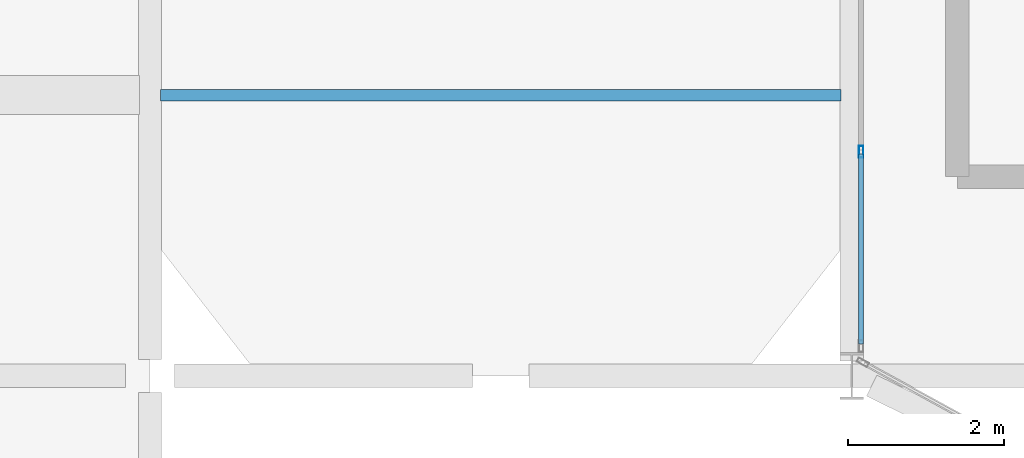
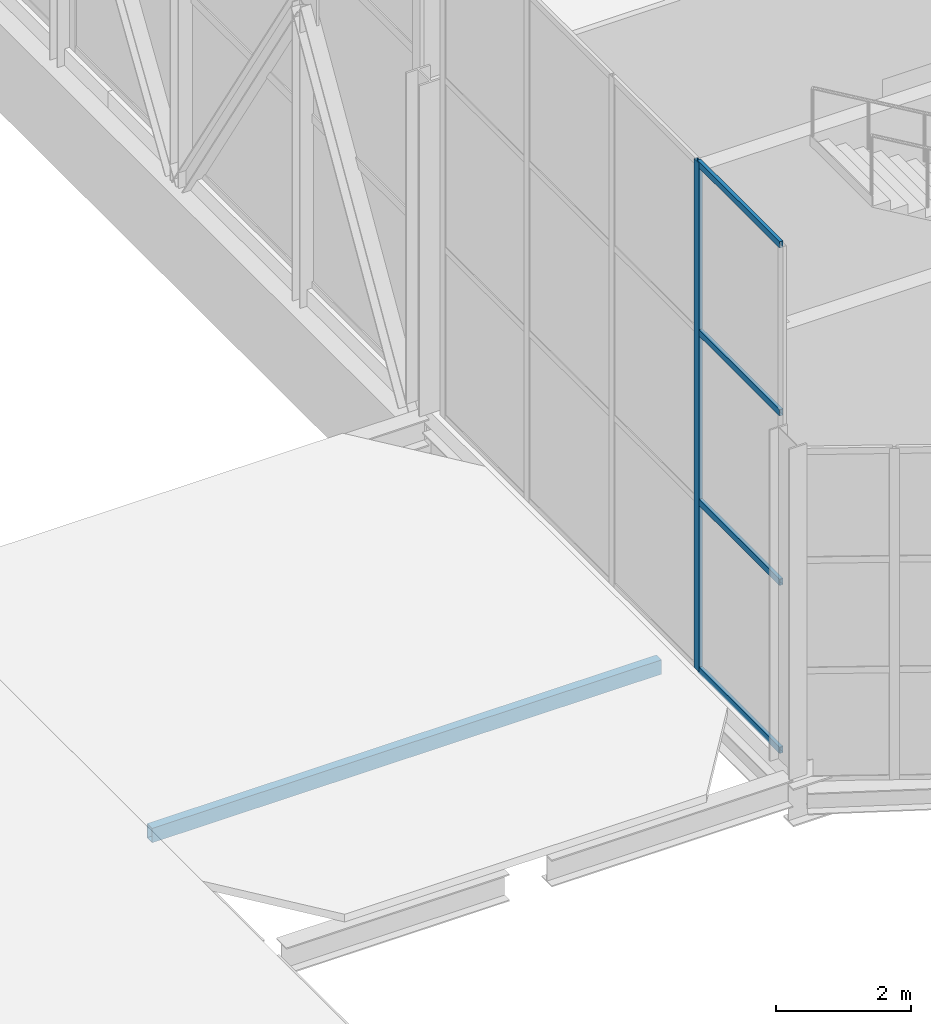
# One storey, part 24 of 191: 5 members, 1 beam, 1 element without a shape of its own.
"""IFC4 building model written with IfcOpenShell, lengths in metres."""

from ifc_helpers import new_model, si_unit, direction, frame, origin, origin_2d, place, context, subcontext, project, spatial, hollow_rectangle, extrude, material, layer, layer_set, material_profile, profile_set, type_object, element, aggregate, save


model = new_model("IFC4")

# Units and contexts
model_context = context("Model", 3, precision=1e-05, world=origin(), true_north=direction((0.0, 1.0)))
body_context = subcontext(model_context, "Body", "Model", "MODEL_VIEW")
ifc_project = project(units=[si_unit("LENGTHUNIT", "METRE"), si_unit("AREAUNIT", "SQUARE_METRE"), si_unit("VOLUMEUNIT", "CUBIC_METRE"), si_unit("PLANEANGLEUNIT", "RADIAN"), si_unit("MASSUNIT", "GRAM", prefix="KILO")], contexts=[model_context])

# Site, building, storey
site_placement = place(None, origin())
site = spatial("IfcSite", under=ifc_project, at=site_placement, CompositionType="ELEMENT")
building_placement = place(site_placement, origin())
building = spatial("IfcBuilding", under=site, at=building_placement, Name="Tamarisk Ironworks Central Station", CompositionType="ELEMENT")
storey_placement = place(building_placement, frame((0.0, 0.0, 6.60009765625)))
storey = spatial("IfcBuildingStorey", under=building, at=storey_placement, Name="L01", CompositionType="ELEMENT", Elevation=6.60009765625)

# Beam
ifc_material_1 = material(Name="Structural steel S355J2", Category="steel")
ifc_material_profile_1 = material_profile(ifc_material_1, hollow_rectangle(XDim=0.14990234375, YDim=0.260009765625, WallThickness=0.010009765625, at=origin_2d()), Name="RHS 260x150x10")
ifc_profile_set_1 = profile_set([ifc_material_profile_1], Name="Structural steel S355J2")
beam_type = type_object("IfcBeamType", Name="BM-SP03", PredefinedType="SPANDREL", material=ifc_profile_set_1)
beam_placement = place(storey_placement, frame((45.135009765625, 14.39990234375, -0.27001953125), z_axis=(1.0, 0.0, 0.0), x_axis=(0.0, 1.0, 0.0)))
element("IfcBeam", 1, at=beam_placement, inside=storey, type_object=beam_type, Name="Forecourt canopy framing beam 009", PredefinedType="SPANDREL", context=body_context, shape_type="SweptSolid", body=[
    extrude(hollow_rectangle(XDim=0.14990234375, YDim=0.260009765625, WallThickness=0.010009765625, at=origin_2d()), origin(), (0.0, 0.0, 1.0), 8.72998046875),
])

# Curtain wall, members
ifc_material_2 = material(Name="Anodized aluminium alloy 6063-T6", Category="aluminium")
ifc_layer = layer(ifc_material_2, 0.179931640625)
ifc_layer_set = layer_set([ifc_layer], Name="Anodized aluminium alloy 6063-T6")
curtain_wall_type = type_object("IfcCurtainWallType", Name="CW-05", PredefinedType="USERDEFINED", material=ifc_layer_set)
curtain_wall_placement = place(storey_placement, origin())
curtain_wall = element("IfcCurtainWall", 2, at=curtain_wall_placement, inside=storey, type_object=curtain_wall_type, Name="Concourse W track-overlook curtain wall 01", ObjectType="GLAZED CURTAIN WALL", PredefinedType="USERDEFINED")
ifc_material_profile_2 = material_profile(ifc_material_2, hollow_rectangle(XDim=0.06005859375, YDim=0.14990234375, WallThickness=0.00341796875, at=origin_2d()), Name="ALUM 150x60")
ifc_profile_set_2 = profile_set([ifc_material_profile_2], Name="Anodized aluminium alloy 6063-T6")
member_type_1 = type_object("IfcMemberType", Name="CWM-03", PredefinedType="MULLION", material=ifc_profile_set_2)
member_1_placement = place(storey_placement, frame((54.1201171875, 13.675048828125, 0.0), z_axis=(0.0, 0.0, 1.0), x_axis=(-1.0, 0.0, 0.0)))
member_1 = element("IfcMember", 3, at=member_1_placement, type_object=member_type_1, Name="CW05 mullion 2", PredefinedType="MULLION", context=body_context, shape_type="SweptSolid", body=[
    extrude(hollow_rectangle(XDim=0.06005859375, YDim=0.14990234375, WallThickness=0.00341796875, at=origin_2d()), origin(), (0.0, 0.0, 1.0), 9.219970703125),
])
ifc_material_profile_3 = material_profile(ifc_material_2, hollow_rectangle(XDim=0.06005859375, YDim=0.114990234375, WallThickness=0.00341796875, at=origin_2d()), Name="ALUM 115x60")
ifc_profile_set_3 = profile_set([ifc_material_profile_3], Name="Anodized aluminium alloy 6063-T6")
member_type_2 = type_object("IfcMemberType", Name="CWT-03", PredefinedType="USERDEFINED", material=ifc_profile_set_3)
member_2_placement = place(storey_placement, frame((54.1201171875, 11.2060546875, 0.02978515625), z_axis=(0.0, 1.0, 0.0), x_axis=(-1.0, 0.0, 0.0)))
member_2 = element("IfcMember", 4, at=member_2_placement, type_object=member_type_2, Name="CW05 transom 1.1", ObjectType="TRANSOM", PredefinedType="USERDEFINED", context=body_context, shape_type="SweptSolid", body=[
    extrude(hollow_rectangle(XDim=0.06005859375, YDim=0.114990234375, WallThickness=0.00341796875, at=origin_2d()), origin(), (0.0, 0.0, 1.0), 2.44287109375),
])
member_3_placement = place(storey_placement, frame((54.1201171875, 11.2060546875, 3.0732421875), z_axis=(0.0, 1.0, 0.0), x_axis=(-1.0, 0.0, 0.0)))
member_3 = element("IfcMember", 5, at=member_3_placement, type_object=member_type_2, Name="CW05 transom 1.2", ObjectType="TRANSOM", PredefinedType="USERDEFINED", context=body_context, shape_type="SweptSolid", body=[
    extrude(hollow_rectangle(XDim=0.06005859375, YDim=0.114990234375, WallThickness=0.00341796875, at=origin_2d()), origin(), (0.0, 0.0, 1.0), 2.44287109375),
])
member_4_placement = place(storey_placement, frame((54.1201171875, 11.2060546875, 6.146484375), z_axis=(0.0, 1.0, 0.0), x_axis=(-1.0, 0.0, 0.0)))
member_4 = element("IfcMember", 6, at=member_4_placement, type_object=member_type_2, Name="CW05 transom 1.3", ObjectType="TRANSOM", PredefinedType="USERDEFINED", context=body_context, shape_type="SweptSolid", body=[
    extrude(hollow_rectangle(XDim=0.06005859375, YDim=0.114990234375, WallThickness=0.00341796875, at=origin_2d()), origin(), (0.0, 0.0, 1.0), 2.44287109375),
])
member_5_placement = place(storey_placement, frame((54.1201171875, 11.2060546875, 9.18994140625), z_axis=(0.0, 1.0, 0.0), x_axis=(-1.0, 0.0, 0.0)))
member_5 = element("IfcMember", 7, at=member_5_placement, type_object=member_type_2, Name="CW05 transom 1.4", ObjectType="TRANSOM", PredefinedType="USERDEFINED", context=body_context, shape_type="SweptSolid", body=[
    extrude(hollow_rectangle(XDim=0.06005859375, YDim=0.114990234375, WallThickness=0.00341796875, at=origin_2d()), origin(), (0.0, 0.0, 1.0), 2.44287109375),
])
aggregate(curtain_wall, [member_1, member_2, member_3, member_4, member_5])

save(model, "model.ifc")
